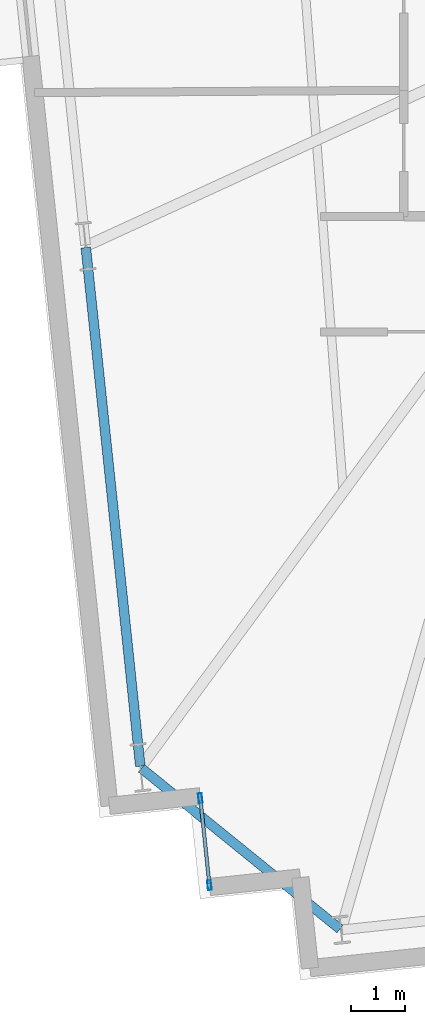
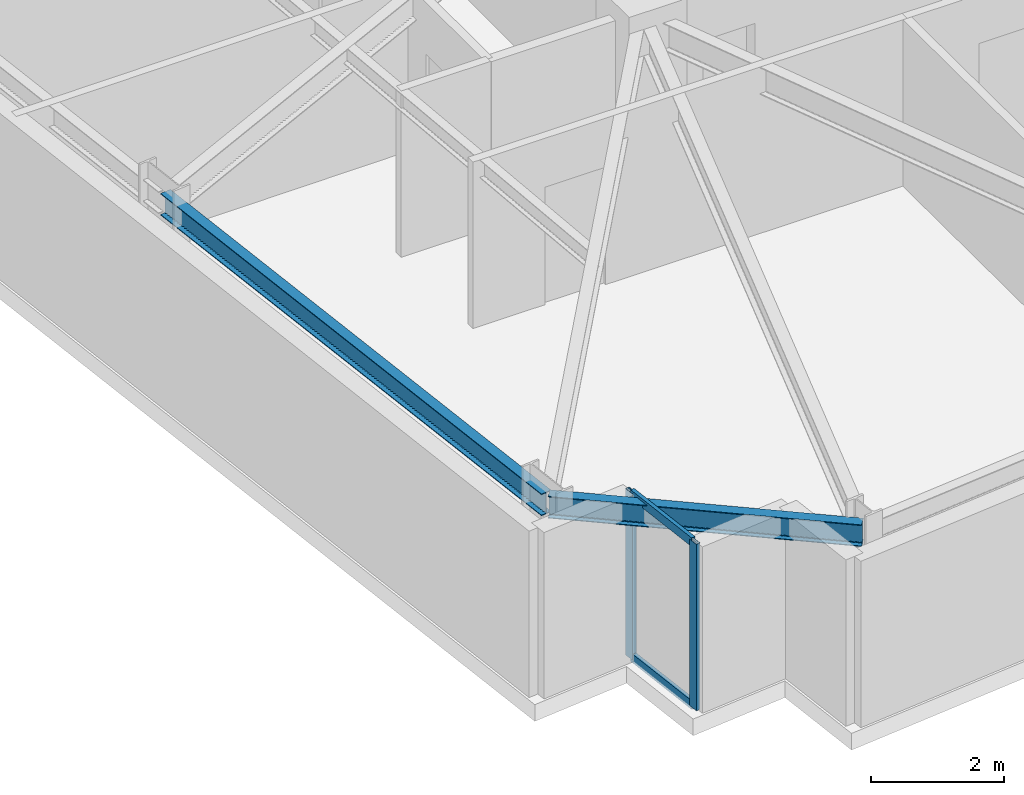
# One storey, part 4 of 23: 4 members, 2 beams, 1 element without a shape of its own.
"""IFC4 building model written with IfcOpenShell, lengths in metres."""

from ifc_helpers import new_model, si_unit, direction, frame, origin, origin_2d, place, context, subcontext, project, spatial, hollow_rectangle, i_section, extrude, material, layer, layer_set, material_profile, profile_set, type_object, element, aggregate, save


model = new_model("IFC4")

# Units and contexts
model_context = context("Model", 3, precision=1e-05, world=origin(), true_north=direction((0.0, 1.0)))
body_context = subcontext(model_context, "Body", "Model", "MODEL_VIEW")
ifc_project = project(units=[si_unit("LENGTHUNIT", "METRE"), si_unit("AREAUNIT", "SQUARE_METRE"), si_unit("VOLUMEUNIT", "CUBIC_METRE"), si_unit("PLANEANGLEUNIT", "RADIAN"), si_unit("MASSUNIT", "GRAM", prefix="KILO")], contexts=[model_context])

# Site, building, storey
site_placement = place(None, origin())
site = spatial("IfcSite", under=ifc_project, at=site_placement, CompositionType="ELEMENT")
building_placement = place(site_placement, origin())
building = spatial("IfcBuilding", under=site, at=building_placement, Name="Qobustan Lattice House", CompositionType="ELEMENT")
storey_placement = place(building_placement, frame((0.0, 0.0, 95.75)))
storey = spatial("IfcBuildingStorey", under=building, at=storey_placement, Name="L26", CompositionType="ELEMENT", Elevation=95.75)

# Beams
ifc_material_1 = material(Name="Steel S355", Category="steel")
ifc_material_profile_1 = material_profile(ifc_material_1, i_section(OverallWidth=0.179931640625, OverallDepth=0.39990234375, WebThickness=0.008544921875, FlangeThickness=0.013427734375, FilletRadius=0.02099609375, at=origin_2d()), Name="IPE400")
ifc_profile_set_1 = profile_set([ifc_material_profile_1], Name="Steel S355")
beam_type = type_object("IfcBeamType", Name="BM-SPD-IPE400", PredefinedType="SPANDREL", material=ifc_profile_set_1)
beam_1_placement = place(storey_placement, frame((-27.37451171875, -6.180908203125, 2.844970703125), z_axis=(0.104527826257, -0.994521962321, 0.0), x_axis=(0.994521962321, 0.104527826257, 0.0)))
element("IfcBeam", 1, at=beam_1_placement, inside=storey, type_object=beam_type, Name="L26 perimeter spandrel W3-W4", PredefinedType="SPANDREL", context=body_context, shape_type="SweptSolid", body=[
    extrude(i_section(OverallWidth=0.179931640625, OverallDepth=0.39990234375, WebThickness=0.008544921875, FlangeThickness=0.013427734375, FilletRadius=0.02099609375, at=origin_2d()), origin(), (0.0, 0.0, 1.0), 9.71630859375),
])
beam_2_placement = place(storey_placement, frame((-26.3369140625, -15.884765625, 2.844970703125), z_axis=(0.777140911545, -0.629326627121, 0.0), x_axis=(0.629326627121, 0.777140911545, 0.0)))
element("IfcBeam", 2, at=beam_2_placement, inside=storey, type_object=beam_type, Name="L26 perimeter spandrel W4-S1", PredefinedType="SPANDREL", context=body_context, shape_type="SweptSolid", body=[
    extrude(i_section(OverallWidth=0.179931640625, OverallDepth=0.39990234375, WebThickness=0.008544921875, FlangeThickness=0.013427734375, FilletRadius=0.02099609375, at=origin_2d()), origin(), (0.0, 0.0, 1.0), 4.758544921875),
])

# Curtain wall, members
ifc_material_2 = material(Name="Anodised aluminium and low-E glazing", Category="aluminium")
ifc_layer = layer(ifc_material_2, 0.219970703125)
ifc_layer_set = layer_set([ifc_layer], Name="Anodised aluminium and low-E glazing")
curtain_wall_type = type_object("IfcCurtainWallType", Name="CW-FAC-01", PredefinedType="USERDEFINED", material=ifc_layer_set)
curtain_wall_placement = place(storey_placement, origin())
curtain_wall = element("IfcCurtainWall", 3, at=curtain_wall_placement, inside=storey, type_object=curtain_wall_type, Name="L26 serrated corner faceted glazing 3", ObjectType="CURTAIN WALL", PredefinedType="USERDEFINED")
ifc_material_3 = material(Name="Anodised aluminium EN AW-6063 T6", Category="aluminium")
ifc_material_profile_2 = material_profile(ifc_material_3, hollow_rectangle(XDim=0.070068359375, YDim=0.179931640625, WallThickness=0.00439453125, at=origin_2d()), Name="CWM-180x70")
ifc_profile_set_2 = profile_set([ifc_material_profile_2], Name="Anodised aluminium EN AW-6063 T6")
member_type_1 = type_object("IfcMemberType", Name="CWM-STD-180", PredefinedType="MULLION", material=ifc_profile_set_2)
member_1_placement = place(storey_placement, frame((-25.070068359375, -18.0615234375, 0.0), z_axis=(0.0, 0.0, 1.0), x_axis=(-0.994521878892, -0.104528620025, 0.0)))
member_1 = element("IfcMember", 4, at=member_1_placement, type_object=member_type_1, Name="CW-F1 mullion 1", PredefinedType="MULLION", context=body_context, shape_type="SweptSolid", body=[
    extrude(hollow_rectangle(XDim=0.070068359375, YDim=0.179931640625, WallThickness=0.00439453125, at=origin_2d()), origin(), (0.0, 0.0, 1.0), 3.044921875),
])
member_2_placement = place(storey_placement, frame((-25.240234375, -16.4404296875, 0.0), z_axis=(0.0, 0.0, 1.0), x_axis=(-0.994521878892, -0.104528620025, 0.0)))
member_2 = element("IfcMember", 5, at=member_2_placement, type_object=member_type_1, Name="CW-F1 mullion 2", PredefinedType="MULLION", context=body_context, shape_type="SweptSolid", body=[
    extrude(hollow_rectangle(XDim=0.070068359375, YDim=0.179931640625, WallThickness=0.00439453125, at=origin_2d()), origin(), (0.0, 0.0, 1.0), 3.044921875),
])
ifc_material_4 = material(Name="Anodised aluminium EN AW-6063 T6", Category="aluminium")
ifc_material_profile_3 = material_profile(ifc_material_4, hollow_rectangle(XDim=0.06494140625, YDim=0.159912109375, WallThickness=0.00390625, at=origin_2d()), Name="CWT-160x65")
ifc_profile_set_3 = profile_set([ifc_material_profile_3], Name="Anodised aluminium EN AW-6063 T6")
member_type_2 = type_object("IfcMemberType", Name="CWT-HOR-160", PredefinedType="USERDEFINED", material=ifc_profile_set_3)
member_3_placement = place(storey_placement, frame((-25.07373046875, -18.02685546875, 0.032470703125), z_axis=(-0.104383362594, 0.994537135362, 0.0), x_axis=(-0.994537135362, -0.104383362594, 0.0)))
member_3 = element("IfcMember", 6, at=member_3_placement, type_object=member_type_2, Name="CW-F1 transom 1.1", ObjectType="TRANSOM", PredefinedType="USERDEFINED", context=body_context, shape_type="SweptSolid", body=[
    extrude(hollow_rectangle(XDim=0.06494140625, YDim=0.159912109375, WallThickness=0.00390625, at=origin_2d()), origin(), (0.0, 0.0, 1.0), 1.56005859375),
])
member_4_placement = place(storey_placement, frame((-25.07373046875, -18.02685546875, 3.012451171875), z_axis=(-0.104383362594, 0.994537135362, 0.0), x_axis=(-0.994537135362, -0.104383362594, 0.0)))
member_4 = element("IfcMember", 7, at=member_4_placement, type_object=member_type_2, Name="CW-F1 transom 1.2", ObjectType="TRANSOM", PredefinedType="USERDEFINED", context=body_context, shape_type="SweptSolid", body=[
    extrude(hollow_rectangle(XDim=0.06494140625, YDim=0.159912109375, WallThickness=0.00390625, at=origin_2d()), origin(), (0.0, 0.0, 1.0), 1.56005859375),
])
aggregate(curtain_wall, [member_1, member_2, member_3, member_4])

save(model, "model.ifc")
